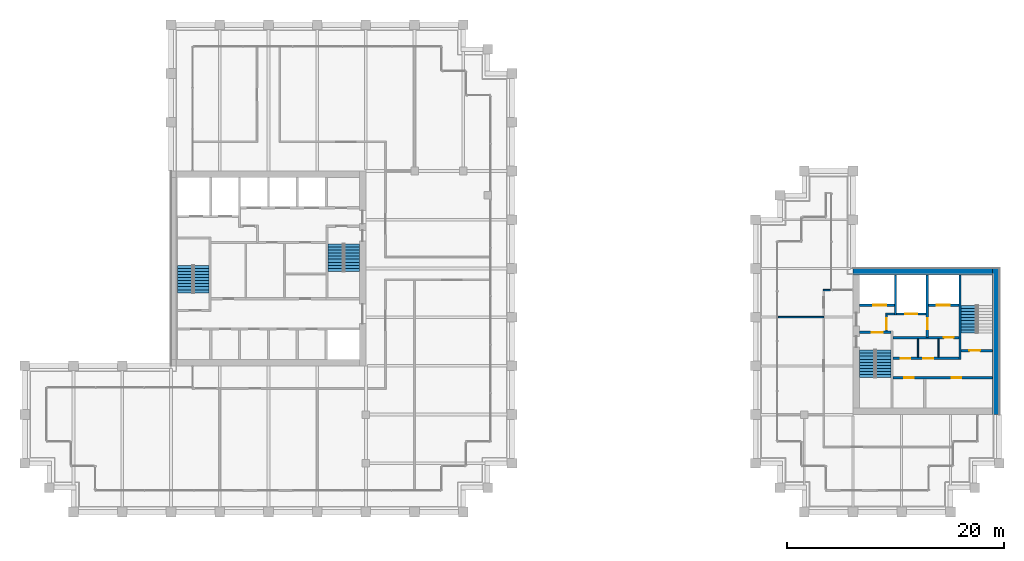
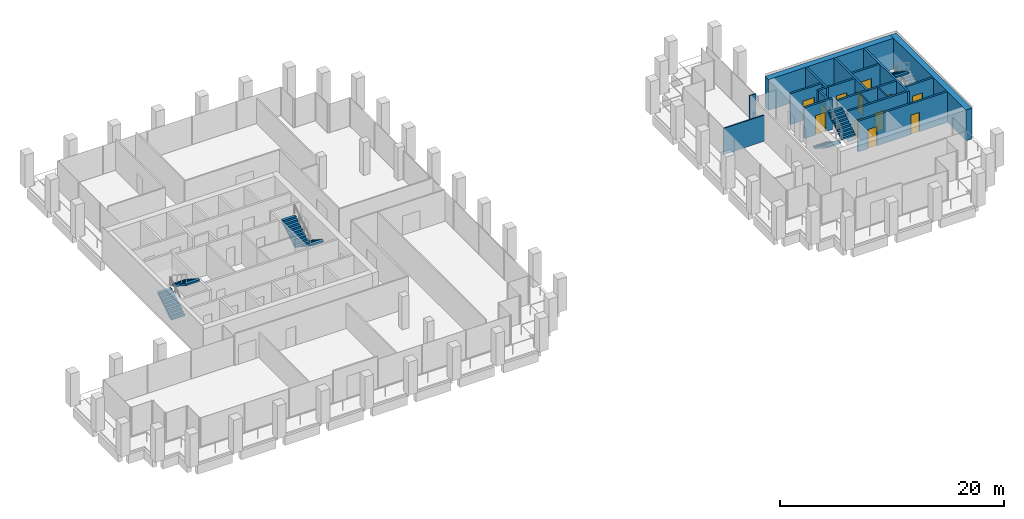
# One storey, part 38 of 40: 19 walls, 12 doors, 7 stair flights, 12 openings, 4 elements without a shape of their own.
"""IFC4 building model written with IfcOpenShell, lengths in metres."""

from ifc_helpers import new_model, si_unit, direction, frame, frame_2d, origin, place, context, subcontext, project, spatial, polyline, rectangle, outline, extrude, material, layer, layer_set, type_object, element, fill, aggregate, save


model = new_model("IFC4")

# Units and contexts
model_context = context("Model", 3, precision=1e-05, world=origin(), true_north=direction((0.0, 1.0)))
body_context = subcontext(model_context, "Body", "Model", "MODEL_VIEW")
ifc_project = project(units=[si_unit("LENGTHUNIT", "METRE"), si_unit("AREAUNIT", "SQUARE_METRE"), si_unit("VOLUMEUNIT", "CUBIC_METRE"), si_unit("PLANEANGLEUNIT", "RADIAN"), si_unit("MASSUNIT", "GRAM", prefix="KILO")], contexts=[model_context])

# Site, building, storey
site_placement = place(None, origin())
site = spatial("IfcSite", under=ifc_project, at=site_placement, CompositionType="ELEMENT")
building_placement = place(site_placement, origin())
building = spatial("IfcBuilding", under=site, at=building_placement, Name="Altepetl Exchange Towers", CompositionType="ELEMENT")
storey_placement = place(building_placement, frame((0.0, 0.0, 161.800048828125)))
storey = spatial("IfcBuildingStorey", under=building, at=storey_placement, Name="L40", CompositionType="ELEMENT", Elevation=161.800048828125)

# Walls
ifc_material_1 = material(Name="Concrete C70/85", Category="concrete")
ifc_layer_1 = layer(ifc_material_1, 0.60009765625)
ifc_layer_set_1 = layer_set([ifc_layer_1], Name="Concrete C70/85")
wall_type_1 = type_object("IfcWallType", Name="Core wall 600 reinforced concrete external", PredefinedType="SHEAR", material=ifc_layer_set_1)
wall_1_placement = place(storey_placement, frame((116.699951171875, 36.0, 0.0), z_axis=(0.0, 0.0, 1.0), x_axis=(0.0, 1.0, 0.0)))
element("IfcWall", 1, at=wall_1_placement, inside=storey, type_object=wall_type_1, Name="wall:B:L40:K-coreE", PredefinedType="SHEAR", context=body_context, shape_type="SweptSolid", body=[
    extrude(rectangle(XDim=13.5, YDim=0.60009765625, at=frame_2d((6.75, 0.0))), origin(), (0.0, 0.0, 1.0), 3.349853515625),
])
wall_2_placement = place(storey_placement, frame((103.5, 49.199951171875, 0.0)))
element("IfcWall", 2, at=wall_2_placement, inside=storey, type_object=wall_type_1, Name="wall:B:L40:K-coreN", PredefinedType="SHEAR", context=body_context, shape_type="SweptSolid", body=[
    extrude(rectangle(XDim=12.89990234375, YDim=0.60009765625, at=frame_2d((6.449951171875, 0.0))), origin(), (0.0, 0.0, 1.0), 3.349853515625),
])
ifc_material_2 = material(Name="Concrete blockwork", Category="masonry")
ifc_layer_2 = layer(ifc_material_2, 0.199951171875)
ifc_layer_set_2 = layer_set([ifc_layer_2], Name="Concrete blockwork")
wall_type_2 = type_object("IfcWallType", Name="Lobby wall 200 blockwork", PredefinedType="PARTITIONING", material=ifc_layer_set_2)
wall_3_placement = place(storey_placement, frame((106.5, 45.300048828125, 0.0)))
element("IfcWall", 3, at=wall_3_placement, inside=storey, type_object=wall_type_2, Name="wall:B:L40:K-ffNw", PredefinedType="PARTITIONING", context=body_context, shape_type="SweptSolid", body=[
    extrude(rectangle(XDim=0.833251953125, YDim=0.199951171875, at=frame_2d((0.41650390625, 0.0))), origin(), (0.0, 0.0, 1.0), 3.349853515625),
])

# Wall, opening, door
wall_4_placement = place(storey_placement, frame((106.60009765625, 43.699951171875, 0.0), z_axis=(0.0, 0.0, 1.0), x_axis=(0.0, 1.0, 0.0)))
wall_4 = element("IfcWall", 4, at=wall_4_placement, inside=storey, type_object=wall_type_2, Name="wall:B:L40:K-ffW", PredefinedType="PARTITIONING", context=body_context, shape_type="SweptSolid", body=[
    extrude(rectangle(XDim=1.5, YDim=0.199951171875, at=frame_2d((0.75, 0.0))), origin(), (0.0, 0.0, 1.0), 3.349853515625),
])
opening_1_placement = place(wall_4_placement, frame((0.199951171875, 0.0, 0.0)))
opening_1 = element("IfcOpeningElement", 5, at=opening_1_placement, cuts=wall_4, Name="Opening L40.B65", PredefinedType="OPENING", context=body_context, shape_type="SweptSolid", body=[
    extrude(rectangle(XDim=1.0, YDim=2.10009765625, at=frame_2d((0.5, 1.050048828125))), frame((0.0, 0.10986328125, 0.0), z_axis=(0.0, -1.0, 0.0), x_axis=(1.0, 0.0, 0.0)), (0.0, 0.0, 1.0), 0.219970703125),
])
ifc_material_3 = material(Name="Steel and timber fire door", Category="steel")
door_type_1 = type_object("IfcDoorType", Name="Fire door 1000 x 2100 stair and lobby", OperationType="SINGLE_SWING_LEFT", PredefinedType="DOOR", material=ifc_material_3)
door_1_placement = place(opening_1_placement, frame((1.0, 0.0, 0.0), x_axis=(-1.0, 0.0, 0.0)))
door_1 = element("IfcDoor", 6, at=door_1_placement, inside=storey, type_object=door_type_1, Name="door:B:L40:K-dffW", OperationType="SINGLE_SWING_LEFT", OverallHeight=2.10009765625, OverallWidth=1.0, PredefinedType="DOOR", context=body_context, shape_type="SweptSolid", body=[
    extrude(rectangle(XDim=1.0, YDim=2.10009765625, at=frame_2d((0.5, 1.050048828125))), frame((0.0, 0.02490234375, 0.0), z_axis=(0.0, -1.0, 0.0), x_axis=(1.0, 0.0, 0.0)), (0.0, 0.0, 1.0), 0.050048828125),
])
fill(opening_1, door_1)

wall_5_placement = place(storey_placement, frame((107.199951171875, 43.10009765625, 0.0)))
wall_5 = element("IfcWall", 7, at=wall_5_placement, inside=storey, type_object=wall_type_2, Name="wall:B:L40:K-zoneN", PredefinedType="PARTITIONING", context=body_context, shape_type="SweptSolid", body=[
    extrude(rectangle(XDim=6.10009765625, YDim=0.199951171875, at=frame_2d((3.050048828125, 0.0))), origin(), (0.0, 0.0, 1.0), 3.349853515625),
])
opening_2_placement = place(wall_5_placement, frame((4.699951171875, 0.0, 0.0)))
opening_2 = element("IfcOpeningElement", 8, at=opening_2_placement, cuts=wall_5, Name="Opening L40.B70", PredefinedType="OPENING", context=body_context, shape_type="SweptSolid", body=[
    extrude(rectangle(XDim=0.89990234375, YDim=2.10009765625, at=frame_2d((0.449951171875, 1.050048828125))), frame((0.0, 0.10986328125, 0.0), z_axis=(0.0, -1.0, 0.0), x_axis=(1.0, 0.0, 0.0)), (0.0, 0.0, 1.0), 0.219970703125),
])
door_type_2 = type_object("IfcDoorType", Name="Fire door 900 x 2100 service room", OperationType="SINGLE_SWING_LEFT", PredefinedType="DOOR", material=ifc_material_3)
door_2_placement = place(opening_2_placement, frame((0.89990234375, 0.0, 0.0), x_axis=(-1.0, 0.0, 0.0)))
door_2 = element("IfcDoor", 9, at=door_2_placement, inside=storey, type_object=door_type_2, Name="door:B:L40:K-dz3", OperationType="SINGLE_SWING_LEFT", OverallHeight=2.10009765625, OverallWidth=0.89990234375, PredefinedType="DOOR", context=body_context, shape_type="SweptSolid", body=[
    extrude(rectangle(XDim=0.89990234375, YDim=2.10009765625, at=frame_2d((0.449951171875, 1.050048828125))), frame((0.0, 0.02490234375, 0.0), z_axis=(0.0, -1.0, 0.0), x_axis=(1.0, 0.0, 0.0)), (0.0, 0.0, 1.0), 0.050048828125),
])
fill(opening_2, door_2)

# Wall, openings, doors
wall_6_placement = place(storey_placement, frame((107.199951171875, 41.199951171875, 0.0)))
wall_6 = element("IfcWall", 10, at=wall_6_placement, inside=storey, type_object=wall_type_2, Name="wall:B:L40:K-zoneS", PredefinedType="PARTITIONING", context=body_context, shape_type="SweptSolid", body=[
    extrude(rectangle(XDim=6.10009765625, YDim=0.199951171875, at=frame_2d((3.050048828125, 0.0))), origin(), (0.0, 0.0, 1.0), 3.349853515625),
])
opening_3_placement = place(wall_6_placement, frame((0.699951171875, 0.0, 0.0)))
opening_3 = element("IfcOpeningElement", 11, at=opening_3_placement, cuts=wall_6, Name="Opening L40.B68", PredefinedType="OPENING", context=body_context, shape_type="SweptSolid", body=[
    extrude(rectangle(XDim=0.89990234375, YDim=2.10009765625, at=frame_2d((0.449951171875, 1.050048828125))), frame((0.0, 0.10986328125, 0.0), z_axis=(0.0, -1.0, 0.0), x_axis=(1.0, 0.0, 0.0)), (0.0, 0.0, 1.0), 0.219970703125),
])
opening_4_placement = place(wall_6_placement, frame((2.800048828125, 0.0, 0.0)))
opening_4 = element("IfcOpeningElement", 12, at=opening_4_placement, cuts=wall_6, Name="Opening L40.B69", PredefinedType="OPENING", context=body_context, shape_type="SweptSolid", body=[
    extrude(rectangle(XDim=0.89990234375, YDim=2.10009765625, at=frame_2d((0.449951171875, 1.050048828125))), frame((0.0, 0.10986328125, 0.0), z_axis=(0.0, -1.0, 0.0), x_axis=(1.0, 0.0, 0.0)), (0.0, 0.0, 1.0), 0.219970703125),
])
door_3_placement = place(opening_3_placement, origin())
door_3 = element("IfcDoor", 13, at=door_3_placement, inside=storey, type_object=door_type_2, Name="door:B:L40:K-dz1", OperationType="SINGLE_SWING_RIGHT", OverallHeight=2.10009765625, OverallWidth=0.89990234375, PredefinedType="DOOR", context=body_context, shape_type="SweptSolid", body=[
    extrude(rectangle(XDim=0.89990234375, YDim=2.10009765625, at=frame_2d((0.449951171875, 1.050048828125))), frame((0.0, 0.02490234375, 0.0), z_axis=(0.0, -1.0, 0.0), x_axis=(1.0, 0.0, 0.0)), (0.0, 0.0, 1.0), 0.050048828125),
])
fill(opening_3, door_3)
door_4_placement = place(opening_4_placement, origin())
door_4 = element("IfcDoor", 14, at=door_4_placement, inside=storey, type_object=door_type_2, Name="door:B:L40:K-dz2", OperationType="SINGLE_SWING_RIGHT", OverallHeight=2.10009765625, OverallWidth=0.89990234375, PredefinedType="DOOR", context=body_context, shape_type="SweptSolid", body=[
    extrude(rectangle(XDim=0.89990234375, YDim=2.10009765625, at=frame_2d((0.449951171875, 1.050048828125))), frame((0.0, 0.02490234375, 0.0), z_axis=(0.0, -1.0, 0.0), x_axis=(1.0, 0.0, 0.0)), (0.0, 0.0, 1.0), 0.050048828125),
])
fill(opening_4, door_4)

# Walls
ifc_material_4 = material(Name="Gypsum board on steel studs", Category="steel")
ifc_layer_3 = layer(ifc_material_4, 0.125)
ifc_layer_set_3 = layer_set([ifc_layer_3], Name="Gypsum board on steel studs")
wall_type_3 = type_object("IfcWallType", Name="Partition 125 gypsum board on steel studs", PredefinedType="PARTITIONING", material=ifc_layer_set_3)
for number, where, z_axis, x_axis, name in (
    (15, (109.5, 41.300048828125, 0.0), (0.0, 0.0, 1.0), (0.0, 1.0, 0.0), "wall:B:L40:K-zp1"),
    (16, (111.39990234375, 41.300048828125, 0.0), (0.0, 0.0, 1.0), (0.0, 1.0, 0.0), "wall:B:L40:K-zp2"),
):
    element("IfcWall", number, at=place(storey_placement, frame(where, z_axis=z_axis, x_axis=x_axis)), inside=storey, type_object=wall_type_3, Name=name, PredefinedType="PARTITIONING", context=body_context, shape_type="SweptSolid", body=[
        extrude(rectangle(XDim=1.699951171875, YDim=0.125, at=frame_2d((0.85009765625, 0.0))), origin(), (0.0, 0.0, 1.0), 3.349853515625),
    ])
wall_7_placement = place(storey_placement, frame((96.60009765625, 45.0, 0.0)))
element("IfcWall", 17, at=wall_7_placement, inside=storey, type_object=wall_type_3, Name="wall:B:L40:P04", PredefinedType="PARTITIONING", context=body_context, shape_type="SweptSolid", body=[
    extrude(rectangle(XDim=4.199951171875, YDim=0.125, at=frame_2d((2.10009765625, 0.0))), origin(), (0.0, 0.0, 1.0), 2.850830078125),
])
wall_8_placement = place(storey_placement, frame((100.737548828125, 47.5, 0.0)))
element("IfcWall", 18, at=wall_8_placement, inside=storey, type_object=wall_type_3, Name="wall:B:L40:P05", PredefinedType="PARTITIONING", context=body_context, shape_type="SweptSolid", body=[
    extrude(rectangle(XDim=0.662353515625, YDim=0.125, at=frame_2d((0.3310546875, 0.0))), origin(), (0.0, 0.0, 1.0), 3.449951171875),
])
ifc_material_5 = material(Name="Concrete C40/50", Category="concrete")
ifc_layer_4 = layer(ifc_material_5, 0.199951171875)
ifc_layer_set_4 = layer_set([ifc_layer_4], Name="Concrete C40/50")
wall_type_4 = type_object("IfcWallType", Name="Shaft wall 200 reinforced concrete", PredefinedType="SHEAR", material=ifc_layer_set_4)
wall_9_placement = place(storey_placement, frame((107.433349609375, 48.89990234375, 0.0), z_axis=(0.0, 0.0, 1.0), x_axis=(0.0, -1.0, 0.0)))
element("IfcWall", 19, at=wall_9_placement, inside=storey, type_object=wall_type_4, Name="wall:B:L40:K-divN1", PredefinedType="SHEAR", context=body_context, shape_type="SweptSolid", body=[
    extrude(rectangle(XDim=3.699951171875, YDim=0.199951171875, at=frame_2d((1.85009765625, 0.0))), origin(), (0.0, 0.0, 1.0), 3.349853515625),
])

# Wall, opening, door
wall_10_placement = place(storey_placement, frame((110.36669921875, 48.89990234375, 0.0), z_axis=(0.0, 0.0, 1.0), x_axis=(0.0, -1.0, 0.0)))
wall_10 = element("IfcWall", 20, at=wall_10_placement, inside=storey, type_object=wall_type_4, Name="wall:B:L40:K-divN2", PredefinedType="SHEAR", context=body_context, shape_type="SweptSolid", body=[
    extrude(rectangle(XDim=5.7998046875, YDim=0.199951171875, at=frame_2d((2.89990234375, 0.0))), origin(), (0.0, 0.0, 1.0), 3.349853515625),
])
opening_5_placement = place(wall_10_placement, frame((4.0, 0.0, 0.0)))
opening_5 = element("IfcOpeningElement", 21, at=opening_5_placement, cuts=wall_10, Name="Opening L40.B64", PredefinedType="OPENING", context=body_context, shape_type="SweptSolid", body=[
    extrude(rectangle(XDim=1.0, YDim=2.10009765625, at=frame_2d((0.5, 1.050048828125))), frame((0.0, 0.10986328125, 0.0), z_axis=(0.0, -1.0, 0.0), x_axis=(1.0, 0.0, 0.0)), (0.0, 0.0, 1.0), 0.219970703125),
])
door_5_placement = place(opening_5_placement, frame((1.0, 0.0, 0.0), x_axis=(-1.0, 0.0, 0.0)))
door_5 = element("IfcDoor", 22, at=door_5_placement, inside=storey, type_object=door_type_1, Name="door:B:L40:K-dffE", OperationType="SINGLE_SWING_RIGHT", OverallHeight=2.10009765625, OverallWidth=1.0, PredefinedType="DOOR", context=body_context, shape_type="SweptSolid", body=[
    extrude(rectangle(XDim=1.0, YDim=2.10009765625, at=frame_2d((0.5, 1.050048828125))), frame((0.0, 0.02490234375, 0.0), z_axis=(0.0, -1.0, 0.0), x_axis=(1.0, 0.0, 0.0)), (0.0, 0.0, 1.0), 0.050048828125),
])
fill(opening_5, door_5)

wall_11_placement = place(storey_placement, frame((104.10009765625, 46.10009765625, 0.0)))
wall_11 = element("IfcWall", 23, at=wall_11_placement, inside=storey, type_object=wall_type_4, Name="wall:B:L40:K-frontNa", PredefinedType="SHEAR", context=body_context, shape_type="SweptSolid", body=[
    extrude(rectangle(XDim=3.233154296875, YDim=0.199951171875, at=frame_2d((1.61669921875, 0.0))), origin(), (0.0, 0.0, 1.0), 3.349853515625),
])
opening_6_placement = place(wall_11_placement, frame((1.2666015625, 0.0, 0.0)))
opening_6 = element("IfcOpeningElement", 24, at=opening_6_placement, cuts=wall_11, Name="Opening L40.B72", PredefinedType="OPENING", context=body_context, shape_type="SweptSolid", body=[
    extrude(rectangle(XDim=1.199951171875, YDim=2.10009765625, at=frame_2d((0.60009765625, 1.050048828125))), frame((0.0, 0.10986328125, 0.0), z_axis=(0.0, -1.0, 0.0), x_axis=(1.0, 0.0, 0.0)), (0.0, 0.0, 1.0), 0.219970703125),
])
ifc_material_6 = material(Name="Stainless steel", Category="steel")
door_type_3 = type_object("IfcDoorType", Name="Lift landing door 1200 x 2100", OperationType="SLIDING_TO_LEFT", PredefinedType="DOOR", material=ifc_material_6)
door_6_placement = place(opening_6_placement, origin())
door_6 = element("IfcDoor", 25, at=door_6_placement, inside=storey, type_object=door_type_3, Name="Landing door P4", OperationType="SLIDING_TO_LEFT", OverallHeight=2.10009765625, OverallWidth=1.199951171875, PredefinedType="DOOR", context=body_context, shape_type="SweptSolid", body=[
    extrude(rectangle(XDim=1.199951171875, YDim=2.10009765625, at=frame_2d((0.60009765625, 1.050048828125))), frame((0.0, 0.02490234375, 0.0), z_axis=(0.0, -1.0, 0.0), x_axis=(1.0, 0.0, 0.0)), (0.0, 0.0, 1.0), 0.050048828125),
])
fill(opening_6, door_6)

wall_12_placement = place(storey_placement, frame((110.466796875, 46.10009765625, 0.0)))
wall_12 = element("IfcWall", 26, at=wall_12_placement, inside=storey, type_object=wall_type_4, Name="wall:B:L40:K-frontNb", PredefinedType="SHEAR", context=body_context, shape_type="SweptSolid", body=[
    extrude(rectangle(XDim=2.833251953125, YDim=0.199951171875, at=frame_2d((1.41650390625, 0.0))), origin(), (0.0, 0.0, 1.0), 3.349853515625),
])
opening_7_placement = place(wall_12_placement, frame((0.7666015625, 0.0, 0.0)))
opening_7 = element("IfcOpeningElement", 27, at=opening_7_placement, cuts=wall_12, Name="Opening L40.B73", PredefinedType="OPENING", context=body_context, shape_type="SweptSolid", body=[
    extrude(rectangle(XDim=1.199951171875, YDim=2.10009765625, at=frame_2d((0.60009765625, 1.050048828125))), frame((0.0, 0.10986328125, 0.0), z_axis=(0.0, -1.0, 0.0), x_axis=(1.0, 0.0, 0.0)), (0.0, 0.0, 1.0), 0.219970703125),
])
door_7_placement = place(opening_7_placement, origin())
door_7 = element("IfcDoor", 28, at=door_7_placement, inside=storey, type_object=door_type_3, Name="Landing door P5", OperationType="SLIDING_TO_LEFT", OverallHeight=2.10009765625, OverallWidth=1.199951171875, PredefinedType="DOOR", context=body_context, shape_type="SweptSolid", body=[
    extrude(rectangle(XDim=1.199951171875, YDim=2.10009765625, at=frame_2d((0.60009765625, 1.050048828125))), frame((0.0, 0.02490234375, 0.0), z_axis=(0.0, -1.0, 0.0), x_axis=(1.0, 0.0, 0.0)), (0.0, 0.0, 1.0), 0.050048828125),
])
fill(opening_7, door_7)

wall_13_placement = place(storey_placement, frame((107.533203125, 45.300048828125, 0.0)))
wall_13 = element("IfcWall", 29, at=wall_13_placement, inside=storey, type_object=wall_type_4, Name="wall:B:L40:K-frontNd", PredefinedType="SHEAR", context=body_context, shape_type="SweptSolid", body=[
    extrude(rectangle(XDim=2.7333984375, YDim=0.199951171875, at=frame_2d((1.36669921875, 0.0))), origin(), (0.0, 0.0, 1.0), 3.349853515625),
])
opening_8_placement = place(wall_13_placement, frame((0.816650390625, 0.0, 0.0)))
opening_8 = element("IfcOpeningElement", 30, at=opening_8_placement, cuts=wall_13, Name="Opening L40.B71", PredefinedType="OPENING", context=body_context, shape_type="SweptSolid", body=[
    extrude(rectangle(XDim=1.10009765625, YDim=2.10009765625, at=frame_2d((0.550048828125, 1.050048828125))), frame((0.0, 0.10986328125, 0.0), z_axis=(0.0, -1.0, 0.0), x_axis=(1.0, 0.0, 0.0)), (0.0, 0.0, 1.0), 0.219970703125),
])
door_type_4 = type_object("IfcDoorType", Name="Lift landing door 1100 x 2100", OperationType="SLIDING_TO_LEFT", PredefinedType="DOOR", material=ifc_material_6)
door_8_placement = place(opening_8_placement, origin())
door_8 = element("IfcDoor", 31, at=door_8_placement, inside=storey, type_object=door_type_4, Name="Landing door FFL1", OperationType="SLIDING_TO_LEFT", OverallHeight=2.10009765625, OverallWidth=1.10009765625, PredefinedType="DOOR", context=body_context, shape_type="SweptSolid", body=[
    extrude(rectangle(XDim=1.10009765625, YDim=2.10009765625, at=frame_2d((0.550048828125, 1.050048828125))), frame((0.0, 0.02490234375, 0.0), z_axis=(0.0, -1.0, 0.0), x_axis=(1.0, 0.0, 0.0)), (0.0, 0.0, 1.0), 0.050048828125),
])
fill(opening_8, door_8)

# Wall, openings, doors
wall_14_placement = place(storey_placement, frame((107.199951171875, 39.39990234375, 0.0)))
wall_14 = element("IfcWall", 32, at=wall_14_placement, inside=storey, type_object=wall_type_4, Name="wall:B:L40:K-frontS", PredefinedType="SHEAR", context=body_context, shape_type="SweptSolid", body=[
    extrude(rectangle(XDim=9.199951171875, YDim=0.199951171875, at=frame_2d((4.60009765625, 0.0))), origin(), (0.0, 0.0, 1.0), 3.349853515625),
])
opening_9_placement = place(wall_14_placement, frame((1.0166015625, 0.0, 0.0)))
opening_9 = element("IfcOpeningElement", 33, at=opening_9_placement, cuts=wall_14, Name="Opening L40.B66", PredefinedType="OPENING", context=body_context, shape_type="SweptSolid", body=[
    extrude(rectangle(XDim=0.89990234375, YDim=2.10009765625, at=frame_2d((0.449951171875, 1.050048828125))), frame((0.0, 0.10986328125, 0.0), z_axis=(0.0, -1.0, 0.0), x_axis=(1.0, 0.0, 0.0)), (0.0, 0.0, 1.0), 0.219970703125),
])
opening_10_placement = place(wall_14_placement, frame((5.416748046875, 0.0, 0.0)))
opening_10 = element("IfcOpeningElement", 34, at=opening_10_placement, cuts=wall_14, Name="Opening L40.B67", PredefinedType="OPENING", context=body_context, shape_type="SweptSolid", body=[
    extrude(rectangle(XDim=0.89990234375, YDim=2.10009765625, at=frame_2d((0.449951171875, 1.050048828125))), frame((0.0, 0.10986328125, 0.0), z_axis=(0.0, -1.0, 0.0), x_axis=(1.0, 0.0, 0.0)), (0.0, 0.0, 1.0), 0.219970703125),
])
door_9_placement = place(opening_9_placement, frame((0.89990234375, 0.0, 0.0), x_axis=(-1.0, 0.0, 0.0)))
door_9 = element("IfcDoor", 35, at=door_9_placement, inside=storey, type_object=door_type_2, Name="door:B:L40:K-dslotS0", OperationType="SINGLE_SWING_LEFT", OverallHeight=2.10009765625, OverallWidth=0.89990234375, PredefinedType="DOOR", context=body_context, shape_type="SweptSolid", body=[
    extrude(rectangle(XDim=0.89990234375, YDim=2.10009765625, at=frame_2d((0.449951171875, 1.050048828125))), frame((0.0, 0.02490234375, 0.0), z_axis=(0.0, -1.0, 0.0), x_axis=(1.0, 0.0, 0.0)), (0.0, 0.0, 1.0), 0.050048828125),
])
fill(opening_9, door_9)
door_10_placement = place(opening_10_placement, frame((0.89990234375, 0.0, 0.0), x_axis=(-1.0, 0.0, 0.0)))
door_10 = element("IfcDoor", 36, at=door_10_placement, inside=storey, type_object=door_type_2, Name="door:B:L40:K-dslotS1", OperationType="SINGLE_SWING_LEFT", OverallHeight=2.10009765625, OverallWidth=0.89990234375, PredefinedType="DOOR", context=body_context, shape_type="SweptSolid", body=[
    extrude(rectangle(XDim=0.89990234375, YDim=2.10009765625, at=frame_2d((0.449951171875, 1.050048828125))), frame((0.0, 0.02490234375, 0.0), z_axis=(0.0, -1.0, 0.0), x_axis=(1.0, 0.0, 0.0)), (0.0, 0.0, 1.0), 0.050048828125),
])
fill(opening_10, door_10)

# Wall, opening, door
ifc_layer_5 = layer(ifc_material_5, 0.199951171875)
ifc_layer_set_5 = layer_set([ifc_layer_5], Name="Concrete C40/50")
wall_type_5 = type_object("IfcWallType", Name="Stair wall 200 reinforced concrete", PredefinedType="SHEAR", material=ifc_layer_set_5)
wall_15_placement = place(storey_placement, frame((104.10009765625, 43.60009765625, 0.0)))
wall_15 = element("IfcWall", 37, at=wall_15_placement, inside=storey, type_object=wall_type_5, Name="wall:B:L40:K-stS1N", PredefinedType="SHEAR", context=body_context, shape_type="SweptSolid", body=[
    extrude(rectangle(XDim=2.89990234375, YDim=0.199951171875, at=frame_2d((1.449951171875, 0.0))), origin(), (0.0, 0.0, 1.0), 3.349853515625),
])
opening_11_placement = place(wall_15_placement, frame((1.14990234375, 0.0, 0.0)))
opening_11 = element("IfcOpeningElement", 38, at=opening_11_placement, cuts=wall_15, Name="Opening L40.B61", PredefinedType="OPENING", context=body_context, shape_type="SweptSolid", body=[
    extrude(rectangle(XDim=1.0, YDim=2.10009765625, at=frame_2d((0.5, 1.050048828125))), frame((0.0, 0.10986328125, 0.0), z_axis=(0.0, -1.0, 0.0), x_axis=(1.0, 0.0, 0.0)), (0.0, 0.0, 1.0), 0.219970703125),
])
door_11_placement = place(opening_11_placement, frame((1.0, 0.0, 0.0), x_axis=(-1.0, 0.0, 0.0)))
door_11 = element("IfcDoor", 39, at=door_11_placement, inside=storey, type_object=door_type_1, Name="door:B:L40:K-dS1in", OperationType="SINGLE_SWING_LEFT", OverallHeight=2.10009765625, OverallWidth=1.0, PredefinedType="DOOR", context=body_context, shape_type="SweptSolid", body=[
    extrude(rectangle(XDim=1.0, YDim=2.10009765625, at=frame_2d((0.5, 1.050048828125))), frame((0.0, 0.02490234375, 0.0), z_axis=(0.0, -1.0, 0.0), x_axis=(1.0, 0.0, 0.0)), (0.0, 0.0, 1.0), 0.050048828125),
])
fill(opening_11, door_11)

wall_16_placement = place(storey_placement, frame((113.5, 41.89990234375, 0.0)))
wall_16 = element("IfcWall", 40, at=wall_16_placement, inside=storey, type_object=wall_type_5, Name="wall:B:L40:K-stS2S", PredefinedType="SHEAR", context=body_context, shape_type="SweptSolid", body=[
    extrude(rectangle(XDim=2.89990234375, YDim=0.199951171875, at=frame_2d((1.449951171875, 0.0))), origin(), (0.0, 0.0, 1.0), 3.349853515625),
])
opening_12_placement = place(wall_16_placement, frame((0.75, 0.0, 0.0)))
opening_12 = element("IfcOpeningElement", 41, at=opening_12_placement, cuts=wall_16, Name="Opening L40.B63", PredefinedType="OPENING", context=body_context, shape_type="SweptSolid", body=[
    extrude(rectangle(XDim=1.0, YDim=2.10009765625, at=frame_2d((0.5, 1.050048828125))), frame((0.0, 0.10986328125, 0.0), z_axis=(0.0, -1.0, 0.0), x_axis=(1.0, 0.0, 0.0)), (0.0, 0.0, 1.0), 0.219970703125),
])
door_12_placement = place(opening_12_placement, origin())
door_12 = element("IfcDoor", 42, at=door_12_placement, inside=storey, type_object=door_type_1, Name="door:B:L40:K-dS2in", OperationType="SINGLE_SWING_RIGHT", OverallHeight=2.10009765625, OverallWidth=1.0, PredefinedType="DOOR", context=body_context, shape_type="SweptSolid", body=[
    extrude(rectangle(XDim=1.0, YDim=2.10009765625, at=frame_2d((0.5, 1.050048828125))), frame((0.0, 0.02490234375, 0.0), z_axis=(0.0, -1.0, 0.0), x_axis=(1.0, 0.0, 0.0)), (0.0, 0.0, 1.0), 0.050048828125),
])
fill(opening_12, door_12)

# Wall
wall_17_placement = place(storey_placement, frame((113.39990234375, 41.10009765625, 0.0), z_axis=(0.0, 0.0, 1.0), x_axis=(0.0, 1.0, 0.0)))
element("IfcWall", 43, at=wall_17_placement, inside=storey, type_object=wall_type_5, Name="wall:B:L40:K-stS2W", PredefinedType="SHEAR", context=body_context, shape_type="SweptSolid", body=[
    extrude(rectangle(XDim=7.7998046875, YDim=0.199951171875, at=frame_2d((3.89990234375, 0.0))), origin(), (0.0, 0.0, 1.0), 3.349853515625),
])

# Stair, stair flights
stair_type = type_object("IfcStairType", Name="Exit stair 1400 flights dogleg", PredefinedType="HALF_TURN_STAIR", material=ifc_material_5)
stair_1_placement = place(storey_placement, origin())
stair_1 = element("IfcStair", 44, at=stair_1_placement, inside=storey, type_object=stair_type, Name="Exit stair 1", PredefinedType="HALF_TURN_STAIR")
stair_flight_type = type_object("IfcStairFlightType", Name="Stair flight 1400 wide", PredefinedType="STRAIGHT", material=ifc_material_5)
stair_flight_1_placement = place(storey_placement, frame((41.800048828125, 47.25, 0.0), z_axis=(0.0, 0.0, 1.0), x_axis=(0.0, 1.0, 0.0)))
stair_flight_1 = element("IfcStairFlight", 45, at=stair_flight_1_placement, type_object=stair_flight_type, Name="ST-A1e flight 1", NumberOfRisers=10, NumberOfTreads=9, PredefinedType="STRAIGHT", RiserHeight=0.18, TreadLength=0.28, context=body_context, shape_type="SweptSolid", body=[
    extrude(outline(polyline([(0.0, 0.0), (0.0, 0.179931640625), (0.280029296875, 0.179931640625), (0.280029296875, 0.360107421875), (0.56005859375, 0.360107421875), (0.56005859375, 0.5400390625), (0.840087890625, 0.5400390625), (0.840087890625, 0.719970703125), (1.1201171875, 0.719970703125), (1.1201171875, 0.89990234375), (1.39990234375, 0.89990234375), (1.39990234375, 1.080078125), (1.679931640625, 1.080078125), (1.679931640625, 1.260009765625), (1.9599609375, 1.260009765625), (1.9599609375, 1.43994140625), (2.239990234375, 1.43994140625), (2.239990234375, 1.6201171875), (2.52001953125, 1.6201171875), (2.52001953125, 1.800048828125), (2.52001953125, 1.44189453125), (0.277099609375, 0.0), (0.0, 0.0)])), frame((0.0, 0.699951171875, 0.0), z_axis=(0.0, -1.0, 0.0), x_axis=(1.0, 0.0, 0.0)), (0.0, 0.0, 1.0), 1.39990234375),
])
stair_flight_2_placement = place(storey_placement, frame((43.300048828125, 49.77001953125, 1.800048828125), z_axis=(0.0, 0.0, 1.0), x_axis=(0.0, -1.0, 0.0)))
stair_flight_2 = element("IfcStairFlight", 46, at=stair_flight_2_placement, type_object=stair_flight_type, Name="ST-A1e flight 2", NumberOfRisers=10, NumberOfTreads=9, PredefinedType="STRAIGHT", RiserHeight=0.18, TreadLength=0.28, context=body_context, shape_type="SweptSolid", body=[
    extrude(outline(polyline([(0.0, 0.0), (0.0, 0.179931640625), (0.280029296875, 0.179931640625), (0.280029296875, 0.360107421875), (0.56005859375, 0.360107421875), (0.56005859375, 0.5400390625), (0.840087890625, 0.5400390625), (0.840087890625, 0.719970703125), (1.1201171875, 0.719970703125), (1.1201171875, 0.89990234375), (1.39990234375, 0.89990234375), (1.39990234375, 1.080078125), (1.679931640625, 1.080078125), (1.679931640625, 1.260009765625), (1.9599609375, 1.260009765625), (1.9599609375, 1.43994140625), (2.239990234375, 1.43994140625), (2.239990234375, 1.6201171875), (2.52001953125, 1.6201171875), (2.52001953125, 1.800048828125), (2.52001953125, 1.44189453125), (0.277099609375, 0.0), (0.0, 0.0)])), frame((0.0, 0.699951171875, 0.0), z_axis=(0.0, -1.0, 0.0), x_axis=(1.0, 0.0, 0.0)), (0.0, 0.0, 1.0), 1.39990234375),
])
aggregate(stair_1, [stair_flight_1, stair_flight_2])

stair_2_placement = place(storey_placement, origin())
stair_2 = element("IfcStair", 47, at=stair_2_placement, inside=storey, type_object=stair_type, Name="Exit stair 2", PredefinedType="HALF_TURN_STAIR")
stair_flight_3_placement = place(storey_placement, frame((57.199951171875, 51.75, 0.0), z_axis=(0.0, 0.0, 1.0), x_axis=(0.0, -1.0, 0.0)))
stair_flight_3 = element("IfcStairFlight", 48, at=stair_flight_3_placement, type_object=stair_flight_type, Name="ST-A2e flight 1", NumberOfRisers=10, NumberOfTreads=9, PredefinedType="STRAIGHT", RiserHeight=0.18, TreadLength=0.28, context=body_context, shape_type="SweptSolid", body=[
    extrude(outline(polyline([(0.0, 0.0), (0.0, 0.179931640625), (0.280029296875, 0.179931640625), (0.280029296875, 0.360107421875), (0.56005859375, 0.360107421875), (0.56005859375, 0.5400390625), (0.840087890625, 0.5400390625), (0.840087890625, 0.719970703125), (1.1201171875, 0.719970703125), (1.1201171875, 0.89990234375), (1.39990234375, 0.89990234375), (1.39990234375, 1.080078125), (1.679931640625, 1.080078125), (1.679931640625, 1.260009765625), (1.9599609375, 1.260009765625), (1.9599609375, 1.43994140625), (2.239990234375, 1.43994140625), (2.239990234375, 1.6201171875), (2.52001953125, 1.6201171875), (2.52001953125, 1.800048828125), (2.52001953125, 1.44189453125), (0.277099609375, 0.0), (0.0, 0.0)])), frame((0.0, 0.699951171875, 0.0), z_axis=(0.0, -1.0, 0.0), x_axis=(1.0, 0.0, 0.0)), (0.0, 0.0, 1.0), 1.39990234375),
])
stair_flight_4_placement = place(storey_placement, frame((55.699951171875, 49.22998046875, 1.800048828125), z_axis=(0.0, 0.0, 1.0), x_axis=(0.0, 1.0, 0.0)))
stair_flight_4 = element("IfcStairFlight", 49, at=stair_flight_4_placement, type_object=stair_flight_type, Name="ST-A2e flight 2", NumberOfRisers=10, NumberOfTreads=9, PredefinedType="STRAIGHT", RiserHeight=0.18, TreadLength=0.28, context=body_context, shape_type="SweptSolid", body=[
    extrude(outline(polyline([(0.0, 0.0), (0.0, 0.179931640625), (0.280029296875, 0.179931640625), (0.280029296875, 0.360107421875), (0.56005859375, 0.360107421875), (0.56005859375, 0.5400390625), (0.840087890625, 0.5400390625), (0.840087890625, 0.719970703125), (1.1201171875, 0.719970703125), (1.1201171875, 0.89990234375), (1.39990234375, 0.89990234375), (1.39990234375, 1.080078125), (1.679931640625, 1.080078125), (1.679931640625, 1.260009765625), (1.9599609375, 1.260009765625), (1.9599609375, 1.43994140625), (2.239990234375, 1.43994140625), (2.239990234375, 1.6201171875), (2.52001953125, 1.6201171875), (2.52001953125, 1.800048828125), (2.52001953125, 1.44189453125), (0.277099609375, 0.0), (0.0, 0.0)])), frame((0.0, 0.699951171875, 0.0), z_axis=(0.0, -1.0, 0.0), x_axis=(1.0, 0.0, 0.0)), (0.0, 0.0, 1.0), 1.39990234375),
])
aggregate(stair_2, [stair_flight_3, stair_flight_4])

stair_3_placement = place(storey_placement, origin())
stair_3 = element("IfcStair", 50, at=stair_3_placement, inside=storey, type_object=stair_type, Name="Exit stair 1", PredefinedType="HALF_TURN_STAIR")
stair_flight_5_placement = place(storey_placement, frame((104.800048828125, 41.949951171875, 0.0), z_axis=(0.0, 0.0, 1.0), x_axis=(0.0, -1.0, 0.0)))
stair_flight_5 = element("IfcStairFlight", 51, at=stair_flight_5_placement, type_object=stair_flight_type, Name="ST-B1e flight 1", NumberOfRisers=10, NumberOfTreads=9, PredefinedType="STRAIGHT", RiserHeight=0.18, TreadLength=0.28, context=body_context, shape_type="SweptSolid", body=[
    extrude(outline(polyline([(0.0, 0.0), (0.0, 0.179931640625), (0.280029296875, 0.179931640625), (0.280029296875, 0.360107421875), (0.56005859375, 0.360107421875), (0.56005859375, 0.5400390625), (0.840087890625, 0.5400390625), (0.840087890625, 0.719970703125), (1.1201171875, 0.719970703125), (1.1201171875, 0.89990234375), (1.39990234375, 0.89990234375), (1.39990234375, 1.080078125), (1.679931640625, 1.080078125), (1.679931640625, 1.260009765625), (1.9599609375, 1.260009765625), (1.9599609375, 1.43994140625), (2.239990234375, 1.43994140625), (2.239990234375, 1.6201171875), (2.52001953125, 1.6201171875), (2.52001953125, 1.800048828125), (2.52001953125, 1.44189453125), (0.277099609375, 0.0), (0.0, 0.0)])), frame((0.0, 0.699951171875, 0.0), z_axis=(0.0, -1.0, 0.0), x_axis=(1.0, 0.0, 0.0)), (0.0, 0.0, 1.0), 1.39990234375),
])
stair_flight_6_placement = place(storey_placement, frame((106.300048828125, 39.429931640625, 1.800048828125), z_axis=(0.0, 0.0, 1.0), x_axis=(0.0, 1.0, 0.0)))
stair_flight_6 = element("IfcStairFlight", 52, at=stair_flight_6_placement, type_object=stair_flight_type, Name="ST-B1e flight 2", NumberOfRisers=10, NumberOfTreads=9, PredefinedType="STRAIGHT", RiserHeight=0.18, TreadLength=0.28, context=body_context, shape_type="SweptSolid", body=[
    extrude(outline(polyline([(0.0, 0.0), (0.0, 0.179931640625), (0.280029296875, 0.179931640625), (0.280029296875, 0.360107421875), (0.56005859375, 0.360107421875), (0.56005859375, 0.5400390625), (0.840087890625, 0.5400390625), (0.840087890625, 0.719970703125), (1.1201171875, 0.719970703125), (1.1201171875, 0.89990234375), (1.39990234375, 0.89990234375), (1.39990234375, 1.080078125), (1.679931640625, 1.080078125), (1.679931640625, 1.260009765625), (1.9599609375, 1.260009765625), (1.9599609375, 1.43994140625), (2.239990234375, 1.43994140625), (2.239990234375, 1.6201171875), (2.52001953125, 1.6201171875), (2.52001953125, 1.800048828125), (2.52001953125, 1.44189453125), (0.277099609375, 0.0), (0.0, 0.0)])), frame((0.0, 0.699951171875, 0.0), z_axis=(0.0, -1.0, 0.0), x_axis=(1.0, 0.0, 0.0)), (0.0, 0.0, 1.0), 1.39990234375),
])
aggregate(stair_3, [stair_flight_5, stair_flight_6])

# Stair, stair flight
stair_4_placement = place(storey_placement, origin())
stair_4 = element("IfcStair", 53, at=stair_4_placement, inside=storey, type_object=stair_type, Name="Exit stair 2", PredefinedType="HALF_TURN_STAIR")
stair_flight_7_placement = place(storey_placement, frame((114.199951171875, 46.070068359375, 1.800048828125), z_axis=(0.0, 0.0, 1.0), x_axis=(0.0, -1.0, 0.0)))
stair_flight_7 = element("IfcStairFlight", 54, at=stair_flight_7_placement, type_object=stair_flight_type, Name="ST-B2e flight 2", NumberOfRisers=10, NumberOfTreads=9, PredefinedType="STRAIGHT", RiserHeight=0.18, TreadLength=0.28, context=body_context, shape_type="SweptSolid", body=[
    extrude(outline(polyline([(0.0, 0.0), (0.0, 0.179931640625), (0.280029296875, 0.179931640625), (0.280029296875, 0.360107421875), (0.56005859375, 0.360107421875), (0.56005859375, 0.5400390625), (0.840087890625, 0.5400390625), (0.840087890625, 0.719970703125), (1.1201171875, 0.719970703125), (1.1201171875, 0.89990234375), (1.39990234375, 0.89990234375), (1.39990234375, 1.080078125), (1.679931640625, 1.080078125), (1.679931640625, 1.260009765625), (1.9599609375, 1.260009765625), (1.9599609375, 1.43994140625), (2.239990234375, 1.43994140625), (2.239990234375, 1.6201171875), (2.52001953125, 1.6201171875), (2.52001953125, 1.800048828125), (2.52001953125, 1.44189453125), (0.277099609375, 0.0), (0.0, 0.0)])), frame((0.0, 0.699951171875, 0.0), z_axis=(0.0, -1.0, 0.0), x_axis=(1.0, 0.0, 0.0)), (0.0, 0.0, 1.0), 1.39990234375),
])
aggregate(stair_4, [stair_flight_7])

save(model, "model.ifc")
